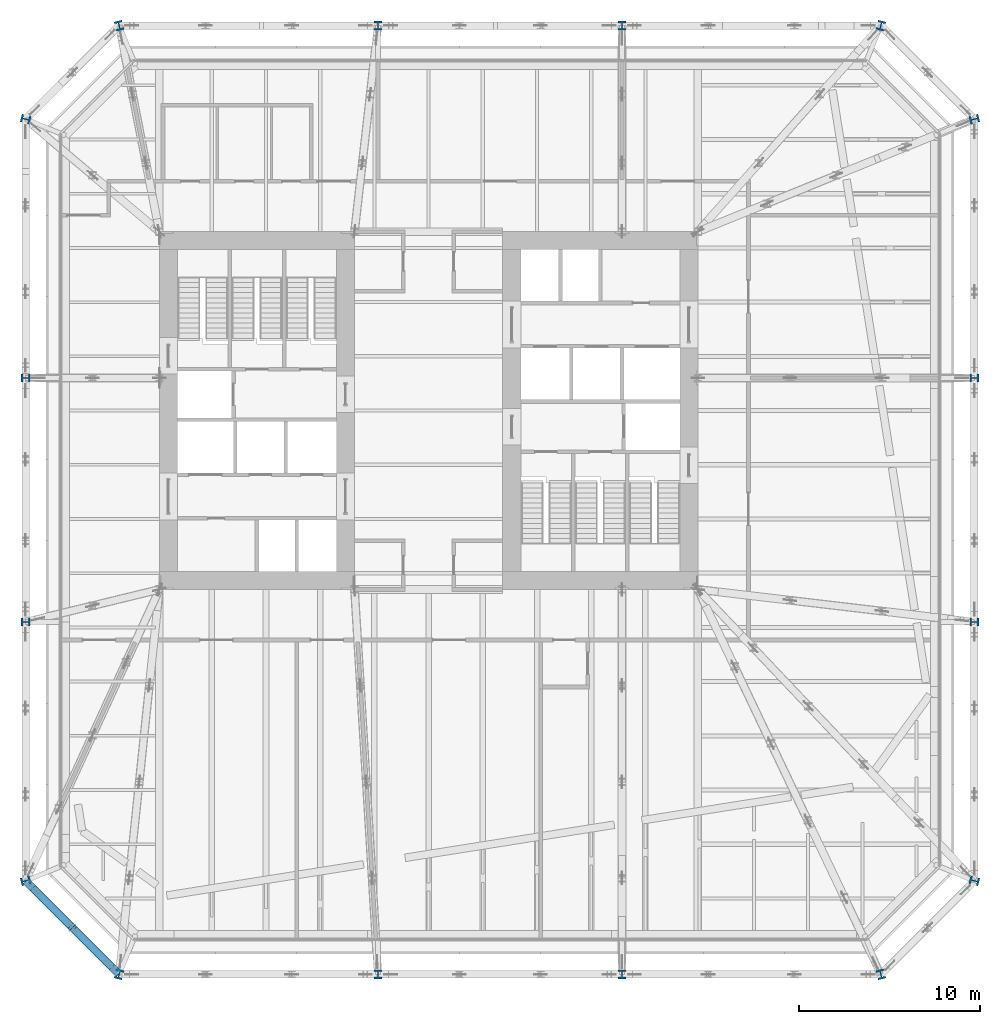
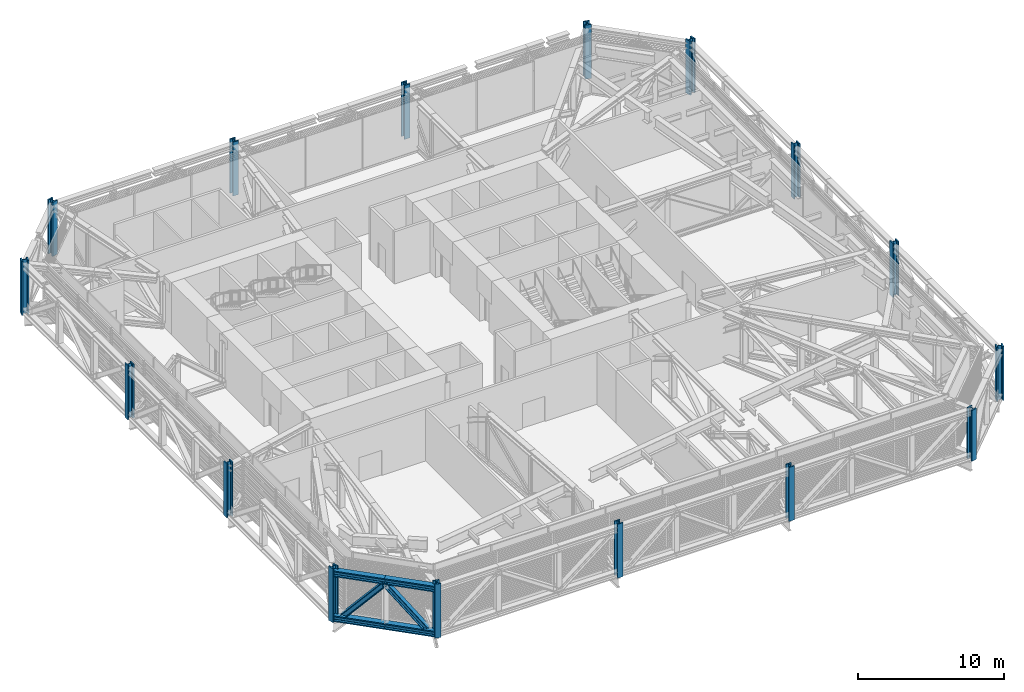
# One storey, part 1 of 31: 16 columns, 4 beams, 2 members.
"""IFC4 building model written with IfcOpenShell, lengths in metres."""

from ifc_helpers import new_model, si_unit, direction, frame, origin, origin_2d, place, context, subcontext, project, spatial, i_section, extrude, material, material_profile, profile_set, type_object, element, save


model = new_model("IFC4")

# Units and contexts
model_context = context("Model", 3, precision=1e-05, world=origin(), true_north=direction((0.0, 1.0)))
body_context = subcontext(model_context, "Body", "Model", "MODEL_VIEW")
ifc_project = project(units=[si_unit("LENGTHUNIT", "METRE"), si_unit("AREAUNIT", "SQUARE_METRE"), si_unit("VOLUMEUNIT", "CUBIC_METRE"), si_unit("PLANEANGLEUNIT", "RADIAN"), si_unit("MASSUNIT", "GRAM", prefix="KILO")], contexts=[model_context])

# Site, building, storey
site_placement = place(None, origin())
site = spatial("IfcSite", under=ifc_project, at=site_placement, CompositionType="ELEMENT")
building_placement = place(site_placement, origin())
building = spatial("IfcBuilding", under=site, at=building_placement, Name="Millrace Tower", CompositionType="ELEMENT")
storey_placement = place(building_placement, frame((0.0, 0.0, 120.39990234375)))
storey = spatial("IfcBuildingStorey", under=building, at=storey_placement, Name="L26", CompositionType="ELEMENT", Elevation=120.39990234375)

# Columns
ifc_material_1 = material(Name="Steel ASTM A913 Grade 65", Category="steel")
ifc_material_profile_1 = material_profile(ifc_material_1, i_section(OverallWidth=0.431884765625, OverallDepth=0.497802734375, WebThickness=0.0556640625, FlangeThickness=0.0888671875, FilletRadius=0.01513671875, at=origin_2d()))
ifc_profile_set_1 = profile_set([ifc_material_profile_1], Name="Steel ASTM A913 Grade 65")
column_type_1 = type_object("IfcColumnType", Name="Exoskeleton column W14x500", PredefinedType="COLUMN", material=ifc_profile_set_1)
for number, where, z_axis, x_axis, name in (
    (1, (-2.800048828125, -31.199951171875, 0.0), (0.0, 0.0, 1.0), (1.0, 0.0, 0.0), "COL-B-L26-X03"),
    (2, (10.699951171875, -31.199951171875, 0.0), (0.0, 0.0, 1.0), (1.0, 0.0, 0.0), "COL-B-L26-X04"),
    (3, (30.199951171875, -11.699951171875, 0.0), (0.0, 0.0, 1.0), (0.0, 1.0, 0.0), "COL-B-L26-X07"),
    (4, (30.199951171875, 1.800048828125, 0.0), (0.0, 0.0, 1.0), (0.0, 1.0, 0.0), "COL-B-L26-X08"),
    (5, (10.699951171875, 21.300048828125, 0.0), (0.0, 0.0, 1.0), (-1.0, 0.0, 0.0), "COL-B-L26-X11"),
    (6, (-2.800048828125, 21.300048828125, 0.0), (0.0, 0.0, 1.0), (-1.0, 0.0, 0.0), "COL-B-L26-X12"),
    (7, (-22.300048828125, 1.800048828125, 0.0), (0.0, 0.0, 1.0), (0.0, -1.0, 0.0), "COL-B-L26-X15"),
    (8, (-22.300048828125, -11.699951171875, 0.0), (0.0, 0.0, 1.0), (0.0, -1.0, 0.0), "COL-B-L26-X16"),
):
    element("IfcColumn", number, at=place(storey_placement, frame(where, z_axis=z_axis, x_axis=x_axis)), inside=storey, type_object=column_type_1, Name=name, PredefinedType="COLUMN", context=body_context, shape_type="SweptSolid", body=[
        extrude(i_section(OverallWidth=0.431884765625, OverallDepth=0.497802734375, WebThickness=0.0556640625, FlangeThickness=0.0888671875, FilletRadius=0.01513671875, at=origin_2d()), origin(), (0.0, 0.0, 1.0), 4.5),
    ])
ifc_material_2 = material(Name="Steel ASTM A913 Grade 65", Category="steel")
ifc_material_profile_2 = material_profile(ifc_material_2, i_section(OverallWidth=0.44189453125, OverallDepth=0.53076171875, WebThickness=0.06591796875, FlangeThickness=0.105712890625, FilletRadius=0.01513671875, at=origin_2d()))
ifc_profile_set_2 = profile_set([ifc_material_profile_2], Name="Steel ASTM A913 Grade 65")
column_type_2 = type_object("IfcColumnType", Name="Exoskeleton column W14x605", PredefinedType="COLUMN", material=ifc_profile_set_2)
for number, where, z_axis, x_axis, name in (
    (9, (-22.300048828125, -26.0283203125, 0.0), (0.0, 0.0, 1.0), (0.256346878353, -0.966584852953, 0.0), "COL-B-L26-X01"),
    (10, (-17.12841796875, -31.199951171875, 0.0), (0.0, 0.0, 1.0), (0.966584852953, -0.256346878353, 0.0), "COL-B-L26-X02"),
):
    element("IfcColumn", number, at=place(storey_placement, frame(where, z_axis=z_axis, x_axis=x_axis)), inside=storey, type_object=column_type_2, Name=name, PredefinedType="COLUMN", context=body_context, shape_type="SweptSolid", body=[
        extrude(i_section(OverallWidth=0.44189453125, OverallDepth=0.53076171875, WebThickness=0.06591796875, FlangeThickness=0.105712890625, FilletRadius=0.01513671875, at=origin_2d()), origin(), (0.0, 0.0, 1.0), 4.5),
    ])
column_placement = place(storey_placement, frame((25.0283203125, -31.199951171875, 0.0), z_axis=(0.0, 0.0, 1.0), x_axis=(0.966584852953, 0.256346878353, 0.0)))
element("IfcColumn", 11, at=column_placement, inside=storey, type_object=column_type_2, Name="COL-B-L26-X05", PredefinedType="COLUMN", context=body_context, shape_type="SweptSolid", body=[
    extrude(i_section(OverallWidth=0.44189453125, OverallDepth=0.53076171875, WebThickness=0.06591796875, FlangeThickness=0.105712890625, FilletRadius=0.01513671875, at=origin_2d()), origin(), (0.0, 0.0, 1.0), 4.239990234375),
])
for number, where, z_axis, x_axis, name in (
    (12, (30.199951171875, -26.0283203125, 0.0), (0.0, 0.0, 1.0), (0.256346878353, 0.966584852953, 0.0), "COL-B-L26-X06"),
    (13, (30.199951171875, 16.12841796875, 0.0), (0.0, 0.0, 1.0), (-0.256346878353, 0.966584852953, 0.0), "COL-B-L26-X09"),
    (14, (25.0283203125, 21.300048828125, 0.0), (0.0, 0.0, 1.0), (-0.966584852953, 0.256346878353, 0.0), "COL-B-L26-X10"),
    (15, (-17.12841796875, 21.300048828125, 0.0), (0.0, 0.0, 1.0), (-0.966584852953, -0.256346878353, 0.0), "COL-B-L26-X13"),
    (16, (-22.300048828125, 16.12841796875, 0.0), (0.0, 0.0, 1.0), (-0.256346878353, -0.966584852953, 0.0), "COL-B-L26-X14"),
):
    element("IfcColumn", number, at=place(storey_placement, frame(where, z_axis=z_axis, x_axis=x_axis)), inside=storey, type_object=column_type_2, Name=name, PredefinedType="COLUMN", context=body_context, shape_type="SweptSolid", body=[
        extrude(i_section(OverallWidth=0.44189453125, OverallDepth=0.53076171875, WebThickness=0.06591796875, FlangeThickness=0.105712890625, FilletRadius=0.01513671875, at=origin_2d()), origin(), (0.0, 0.0, 1.0), 4.5),
    ])

# Beams
ifc_material_3 = material(Name="Steel ASTM A992 Grade 50", Category="steel")
ifc_material_profile_3 = material_profile(ifc_material_3, i_section(OverallWidth=0.431884765625, OverallDepth=0.497802734375, WebThickness=0.0556640625, FlangeThickness=0.0888671875, FilletRadius=0.01513671875, at=origin_2d()))
ifc_profile_set_3 = profile_set([ifc_material_profile_3], Name="Steel ASTM A992 Grade 50")
beam_type = type_object("IfcBeamType", Name="Belt truss chord W14x500", PredefinedType="BEAM", material=ifc_profile_set_3)
for number, where, z_axis, x_axis, name in (
    (17, (-22.300048828125, -26.0283203125, 0.2490234375), (0.707106781187, -0.707106781187, 0.0), (0.707106781187, 0.707106781187, 0.0), "BLT-L26-R01-B01"),
    (18, (-22.300048828125, -26.0283203125, 3.9912109375), (0.707106781187, -0.707106781187, 0.0), (0.707106781187, 0.707106781187, 0.0), "BLT-L26-R01-T01"),
):
    element("IfcBeam", number, at=place(storey_placement, frame(where, z_axis=z_axis, x_axis=x_axis)), inside=storey, type_object=beam_type, Name=name, PredefinedType="BEAM", context=body_context, shape_type="SweptSolid", body=[
        extrude(i_section(OverallWidth=0.431884765625, OverallDepth=0.497802734375, WebThickness=0.0556640625, FlangeThickness=0.0888671875, FilletRadius=0.01513671875, at=origin_2d()), origin(), (0.0, 0.0, 1.0), 3.656982421875),
    ])
beam_1_placement = place(storey_placement, frame((-19.714111328125, -28.6142578125, 0.2490234375), z_axis=(0.707106781187, -0.707106781187, 0.0), x_axis=(0.707106781187, 0.707106781187, 0.0)))
element("IfcBeam", 19, at=beam_1_placement, inside=storey, type_object=beam_type, Name="BLT-L26-R01-B02", PredefinedType="BEAM", context=body_context, shape_type="SweptSolid", body=[
    extrude(i_section(OverallWidth=0.431884765625, OverallDepth=0.497802734375, WebThickness=0.0556640625, FlangeThickness=0.0888671875, FilletRadius=0.01513671875, at=origin_2d()), origin(), (0.0, 0.0, 1.0), 3.65673828125),
])
beam_2_placement = place(storey_placement, frame((-19.714111328125, -28.6142578125, 3.9912109375), z_axis=(0.707072978248, -0.70714058251, 0.0), x_axis=(0.70714058251, 0.707072978248, 0.0)))
element("IfcBeam", 20, at=beam_2_placement, inside=storey, type_object=beam_type, Name="BLT-L26-R01-T02", PredefinedType="BEAM", context=body_context, shape_type="SweptSolid", body=[
    extrude(i_section(OverallWidth=0.431884765625, OverallDepth=0.497802734375, WebThickness=0.0556640625, FlangeThickness=0.0888671875, FilletRadius=0.01513671875, at=origin_2d()), origin(), (0.0, 0.0, 1.0), 3.611328125),
])

# Members
ifc_material_4 = material(Name="Steel ASTM A992 Grade 50", Category="steel")
ifc_material_profile_4 = material_profile(ifc_material_4, i_section(OverallWidth=0.4013671875, OverallDepth=0.398681640625, WebThickness=0.02490234375, FlangeThickness=0.03955078125, FilletRadius=0.01513671875, at=origin_2d()))
ifc_profile_set_4 = profile_set([ifc_material_profile_4], Name="Steel ASTM A992 Grade 50")
member_type = type_object("IfcMemberType", Name="Belt truss diagonal W14x211", PredefinedType="BRACE", material=ifc_profile_set_4)
for number, where, z_axis, x_axis, name in (
    (21, (-21.804931640625, -26.5234375, 0.498046875), (0.476325620306, -0.476325620306, 0.739072260933), (0.707106781187, 0.707106781187, 0.0), "BLT-L26-R01-D01"),
    (22, (-17.623291015625, -30.705078125, 0.498046875), (-0.476325620306, 0.476325620306, 0.739072260933), (-0.707106781187, -0.707106781187, 0.0), "BLT-L26-R01-D02"),
):
    element("IfcMember", number, at=place(storey_placement, frame(where, z_axis=z_axis, x_axis=x_axis)), inside=storey, type_object=member_type, Name=name, PredefinedType="BRACE", context=body_context, shape_type="SweptSolid", body=[
        extrude(i_section(OverallWidth=0.4013671875, OverallDepth=0.398681640625, WebThickness=0.02490234375, FlangeThickness=0.03955078125, FilletRadius=0.01513671875, at=origin_2d()), origin(), (0.0, 0.0, 1.0), 4.389404296875),
    ])

save(model, "model.ifc")
